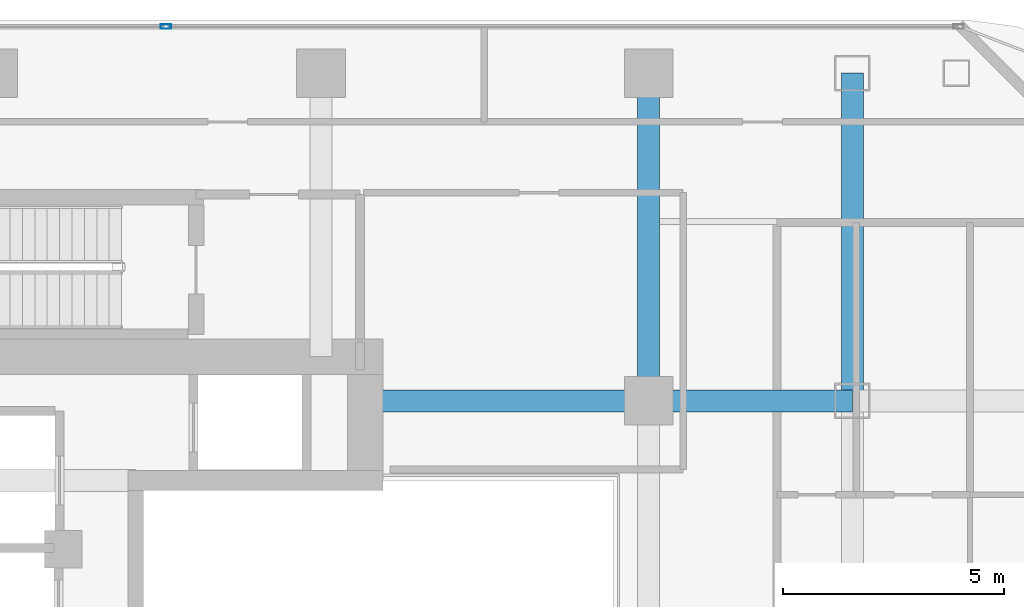
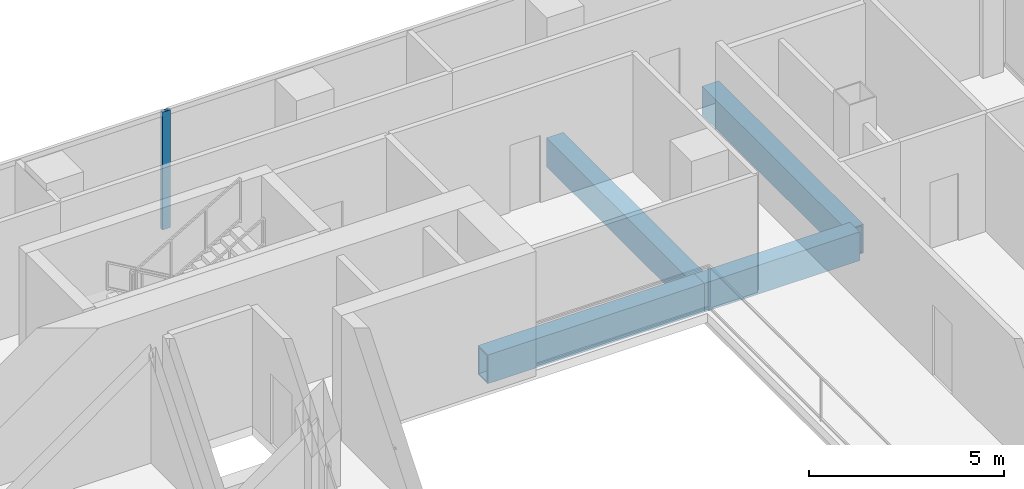
# One storey, part 16 of 26: 4 beams, 1 member, 1 element without a shape of its own.
"""IFC4 building model written with IfcOpenShell, lengths in metres."""

from ifc_helpers import new_model, si_unit, direction, frame, origin, origin_2d, place, context, subcontext, project, spatial, hollow_rectangle, extrude, material, layer, layer_set, material_profile, profile_set, type_object, element, aggregate, save


model = new_model("IFC4")

# Units and contexts
model_context = context("Model", 3, precision=1e-05, world=origin(), true_north=direction((0.0, 1.0)))
body_context = subcontext(model_context, "Body", "Model", "MODEL_VIEW")
ifc_project = project(units=[si_unit("LENGTHUNIT", "METRE"), si_unit("AREAUNIT", "SQUARE_METRE"), si_unit("VOLUMEUNIT", "CUBIC_METRE"), si_unit("PLANEANGLEUNIT", "RADIAN"), si_unit("MASSUNIT", "GRAM", prefix="KILO")], contexts=[model_context])

# Site, building, storey
site_placement = place(None, origin())
site = spatial("IfcSite", under=ifc_project, at=site_placement, CompositionType="ELEMENT")
building_placement = place(site_placement, origin())
building = spatial("IfcBuilding", under=site, at=building_placement, Name="Khorvyn Point Tower", CompositionType="ELEMENT")
storey_placement = place(building_placement, frame((0.0, 0.0, 219.60009765625)))
storey = spatial("IfcBuildingStorey", under=building, at=storey_placement, Name="L54", CompositionType="ELEMENT", Elevation=219.60009765625)

# Curtain wall, member
ifc_material_1 = material(Name="Anodised aluminium 6063-T6 and laminated Low-E glass", Category="aluminium")
ifc_layer = layer(ifc_material_1, 0.18994140625)
ifc_layer_set = layer_set([ifc_layer], Name="Stick-Built Acoustic Curtain Wall CW-SYS-03")
curtain_wall_type = type_object("IfcCurtainWallType", Name="Stick-Built Acoustic Curtain Wall CW-SYS-03", PredefinedType="NOTDEFINED", material=ifc_layer_set)
curtain_wall_placement = place(storey_placement, origin())
curtain_wall = element("IfcCurtainWall", 1, at=curtain_wall_placement, inside=storey, type_object=curtain_wall_type, Name="Curtain Wall", PredefinedType="NOTDEFINED")
ifc_material_2 = material(Name="Anodised aluminium 6063-T6", Category="aluminium")
ifc_material_profile_1 = material_profile(ifc_material_2, hollow_rectangle(XDim=0.10009765625, YDim=0.239990234375, WallThickness=0.0048828125, at=origin_2d()))
ifc_profile_set_1 = profile_set([ifc_material_profile_1], Name="Anodised aluminium 6063-T6 ALU-MUL-100x240")
member_type = type_object("IfcMemberType", Name="Anodised Aluminium 6063-T6 Mullion ALU-MUL-100x240", PredefinedType="MULLION", material=ifc_profile_set_1)
member_placement = place(storey_placement, frame((3.89990234375, 15.85009765625, 0.0), z_axis=(0.0, 0.0, 1.0), x_axis=(0.0, 1.0, 0.0)))
member = element("IfcMember", 2, at=member_placement, type_object=member_type, Name="Transom", PredefinedType="MULLION", context=body_context, shape_type="SweptSolid", body=[
    extrude(hollow_rectangle(XDim=0.10009765625, YDim=0.239990234375, WallThickness=0.0048828125, at=origin_2d()), origin(), (0.0, 0.0, 1.0), 3.679931640625),
])
aggregate(curtain_wall, [member])

# Beams
ifc_material_3 = material(Name="Steel S450", Category="steel")
ifc_material_profile_2 = material_profile(ifc_material_3, hollow_rectangle(XDim=0.5, YDim=0.89990234375, WallThickness=0.0400390625, at=origin_2d()))
ifc_profile_set_2 = profile_set([ifc_material_profile_2], Name="Steel S450 BOX900x500x40")
beam_type = type_object("IfcBeamType", Name="Steel S450 Beam BOX900x500x40", PredefinedType="BEAM", material=ifc_profile_set_2)
beam_1_placement = place(storey_placement, frame((8.39990234375, 7.39990234375, -0.72998046875), z_axis=(1.0, 0.0, 0.0), x_axis=(0.0, 1.0, 0.0)))
element("IfcBeam", 3, at=beam_1_placement, inside=storey, type_object=beam_type, Name="Beam", PredefinedType="BEAM", context=body_context, shape_type="SweptSolid", body=[
    extrude(hollow_rectangle(XDim=0.5, YDim=0.89990234375, WallThickness=0.0400390625, at=origin_2d()), origin(), (0.0, 0.0, 1.0), 6.400146484375),
])
beam_2_placement = place(storey_placement, frame((14.800048828125, 7.39990234375, -0.72998046875), z_axis=(1.0, 0.0, 0.0), x_axis=(0.0, 1.0, 0.0)))
element("IfcBeam", 4, at=beam_2_placement, inside=storey, type_object=beam_type, Name="Beam", PredefinedType="BEAM", context=body_context, shape_type="SweptSolid", body=[
    extrude(hollow_rectangle(XDim=0.5, YDim=0.89990234375, WallThickness=0.0400390625, at=origin_2d()), origin(), (0.0, 0.0, 1.0), 4.599853515625),
])
for number, where, z_axis, x_axis, name in (
    (5, (14.800048828125, 7.39990234375, -0.72998046875), (0.0, 1.0, 0.0), (-1.0, 0.0, 0.0), "L54 Radial Transfer Girder"),
    (6, (19.39990234375, 7.39990234375, -0.72998046875), (0.0, 1.0, 0.0), (-1.0, 0.0, 0.0), "Beam"),
):
    element("IfcBeam", number, at=place(storey_placement, frame(where, z_axis=z_axis, x_axis=x_axis)), inside=storey, type_object=beam_type, Name=name, PredefinedType="BEAM", context=body_context, shape_type="SweptSolid", body=[
        extrude(hollow_rectangle(XDim=0.5, YDim=0.89990234375, WallThickness=0.0400390625, at=origin_2d()), origin(), (0.0, 0.0, 1.0), 7.400146484375),
    ])

save(model, "model.ifc")
